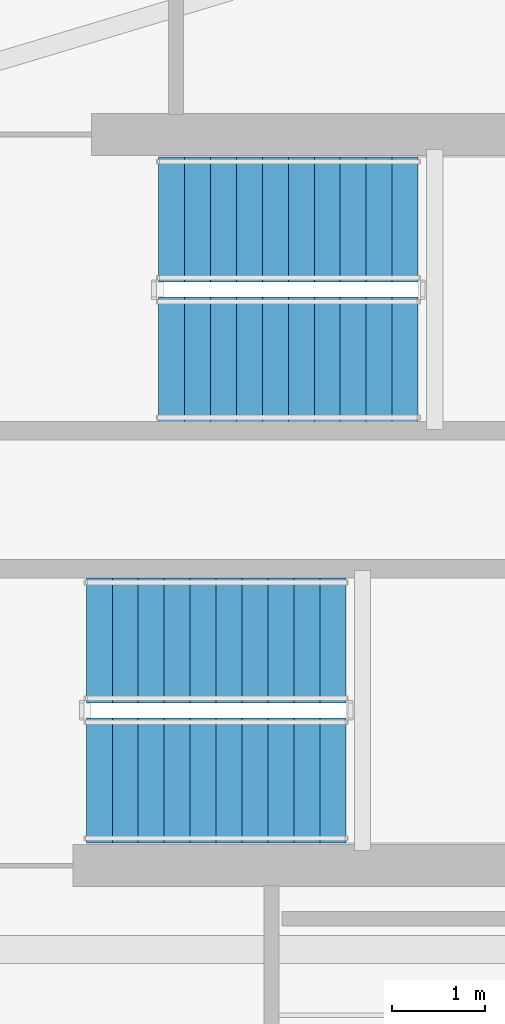
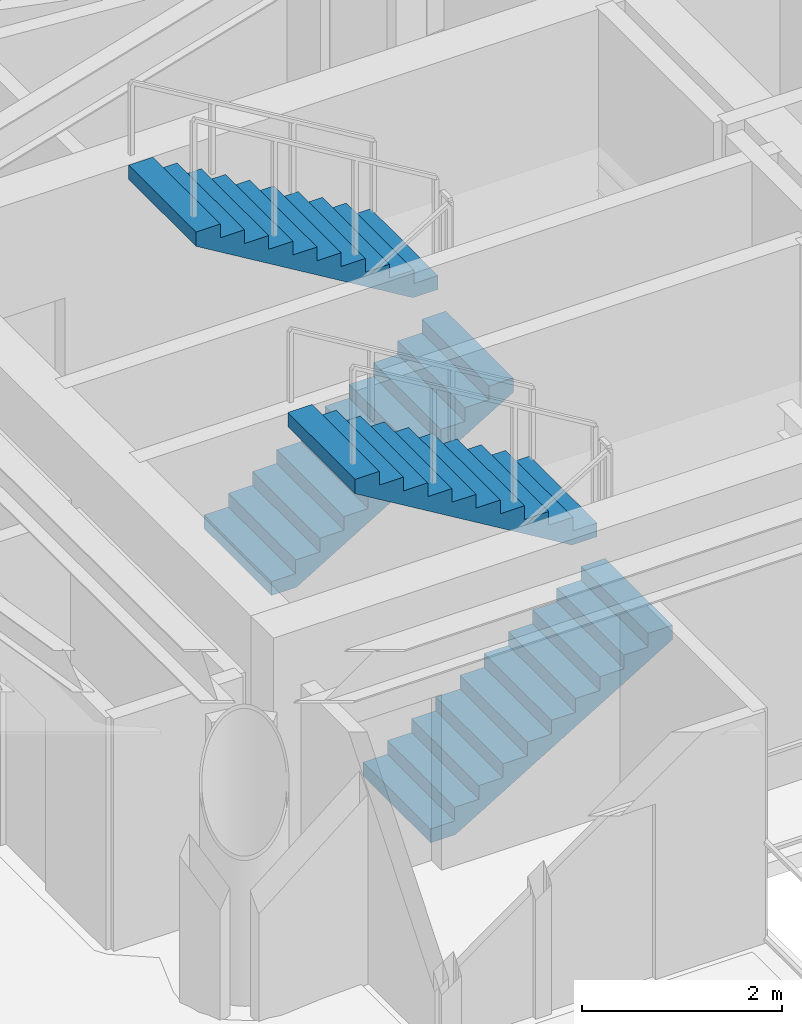
# One storey, part 17 of 19: 4 stair flights, 2 elements without a shape of their own.
"""IFC4 building model written with IfcOpenShell, lengths in metres."""

from ifc_helpers import new_model, si_unit, direction, frame, origin, place, context, subcontext, project, spatial, polyline, outline, extrude, material, type_object, element, aggregate, save


model = new_model("IFC4")

# Units and contexts
model_context = context("Model", 3, precision=1e-05, world=origin(), true_north=direction((0.0, 1.0)))
body_context = subcontext(model_context, "Body", "Model", "MODEL_VIEW")
ifc_project = project(units=[si_unit("LENGTHUNIT", "METRE"), si_unit("AREAUNIT", "SQUARE_METRE"), si_unit("VOLUMEUNIT", "CUBIC_METRE"), si_unit("PLANEANGLEUNIT", "RADIAN"), si_unit("MASSUNIT", "GRAM", prefix="KILO")], contexts=[model_context])

# Site, building, storey
site_placement = place(None, origin())
site = spatial("IfcSite", under=ifc_project, at=site_placement, CompositionType="ELEMENT")
building_placement = place(site_placement, origin())
building = spatial("IfcBuilding", under=site, at=building_placement, Name="Qianvela Tower", CompositionType="ELEMENT")
storey_placement = place(building_placement, frame((0.0, 0.0, 280.60009765625)))
storey = spatial("IfcBuildingStorey", under=building, at=storey_placement, Name="L72", CompositionType="ELEMENT", Elevation=280.60009765625)

# Stair, stair flights
ifc_material_1 = material(Name="Concrete C40", Category="concrete")
stair_type = type_object("IfcStairType", Name="ST-DOGLEG-1350-R168-N22", PredefinedType="HALF_TURN_STAIR", material=ifc_material_1)
stair_1_placement = place(storey_placement, origin())
stair_1 = element("IfcStair", 1, at=stair_1_placement, inside=storey, type_object=stair_type, Name="L72 Smoke-Proof Core Stair ST-1", PredefinedType="HALF_TURN_STAIR")
ifc_material_2 = material(Name="Concrete C40", Category="concrete")
stair_flight_type = type_object("IfcStairFlightType", Name="STF-STRAIGHT-R168-P11", PredefinedType="STRAIGHT", material=ifc_material_2)
stair_flight_1_placement = place(storey_placement, frame((32.199951171875, 30.215087890625, 0.0), z_axis=(0.0, 0.0, 1.0), x_axis=(1.0, 0.0, 0.0)))
stair_flight_1 = element("IfcStairFlight", 2, at=stair_flight_1_placement, type_object=stair_flight_type, Name="ST-1 flight 1", NumberOfRisers=11, NumberOfTreads=10, PredefinedType="STRAIGHT", RiserHeight=0.168181818, TreadLength=0.28, context=body_context, shape_type="SweptSolid", body=[
    extrude(outline(polyline([(0.0, 0.0), (0.0, 0.168212890625), (0.280029296875, 0.168212890625), (0.280029296875, 0.33642578125), (0.56005859375, 0.33642578125), (0.56005859375, 0.504638671875), (0.840087890625, 0.504638671875), (0.840087890625, 0.672607421875), (1.1201171875, 0.672607421875), (1.1201171875, 0.8408203125), (1.39990234375, 0.8408203125), (1.39990234375, 1.009033203125), (1.679931640625, 1.009033203125), (1.679931640625, 1.17724609375), (1.9599609375, 1.17724609375), (1.9599609375, 1.345458984375), (2.239990234375, 1.345458984375), (2.239990234375, 1.513671875), (2.52001953125, 1.513671875), (2.52001953125, 1.681884765625), (2.800048828125, 1.681884765625), (2.800048828125, 1.85009765625), (2.800048828125, 1.5068359375), (0.291015625, 0.0), (0.0, 0.0)])), frame((0.0, 0.675048828125, 0.0), z_axis=(0.0, -1.0, 0.0), x_axis=(1.0, 0.0, 0.0)), (0.0, 0.0, 1.0), 1.35009765625),
])
stair_flight_2_placement = place(storey_placement, frame((35.0, 31.72509765625, 1.849853515625), z_axis=(0.0, 0.0, 1.0), x_axis=(-1.0, 0.0, 0.0)))
stair_flight_2 = element("IfcStairFlight", 3, at=stair_flight_2_placement, type_object=stair_flight_type, Name="ST-1 flight 2", NumberOfRisers=11, NumberOfTreads=10, PredefinedType="STRAIGHT", RiserHeight=0.168181818, TreadLength=0.28, context=body_context, shape_type="SweptSolid", body=[
    extrude(outline(polyline([(0.0, 0.0), (0.0, 0.168212890625), (0.280029296875, 0.168212890625), (0.280029296875, 0.33642578125), (0.56005859375, 0.33642578125), (0.56005859375, 0.504638671875), (0.840087890625, 0.504638671875), (0.840087890625, 0.672607421875), (1.1201171875, 0.672607421875), (1.1201171875, 0.8408203125), (1.39990234375, 0.8408203125), (1.39990234375, 1.009033203125), (1.679931640625, 1.009033203125), (1.679931640625, 1.17724609375), (1.9599609375, 1.17724609375), (1.9599609375, 1.345458984375), (2.239990234375, 1.345458984375), (2.239990234375, 1.513671875), (2.52001953125, 1.513671875), (2.52001953125, 1.681884765625), (2.800048828125, 1.681884765625), (2.800048828125, 1.85009765625), (2.800048828125, 1.5068359375), (0.291015625, 0.0), (0.0, 0.0)])), frame((0.0, 0.675048828125, 0.0), z_axis=(0.0, -1.0, 0.0), x_axis=(1.0, 0.0, 0.0)), (0.0, 0.0, 1.0), 1.35009765625),
])
aggregate(stair_1, [stair_flight_1, stair_flight_2])

stair_2_placement = place(storey_placement, origin())
stair_2 = element("IfcStair", 4, at=stair_2_placement, inside=storey, type_object=stair_type, Name="L72 Smoke-Proof Core Stair ST-2", PredefinedType="HALF_TURN_STAIR")
stair_flight_3_placement = place(storey_placement, frame((31.419921875, 25.675048828125, 0.0), z_axis=(0.0, 0.0, 1.0), x_axis=(1.0, 0.0, 0.0)))
stair_flight_3 = element("IfcStairFlight", 5, at=stair_flight_3_placement, type_object=stair_flight_type, Name="ST-2 flight 1", NumberOfRisers=11, NumberOfTreads=10, PredefinedType="STRAIGHT", RiserHeight=0.168181818, TreadLength=0.28, context=body_context, shape_type="SweptSolid", body=[
    extrude(outline(polyline([(0.0, 0.0), (0.0, 0.168212890625), (0.280029296875, 0.168212890625), (0.280029296875, 0.33642578125), (0.56005859375, 0.33642578125), (0.56005859375, 0.504638671875), (0.840087890625, 0.504638671875), (0.840087890625, 0.672607421875), (1.1201171875, 0.672607421875), (1.1201171875, 0.8408203125), (1.39990234375, 0.8408203125), (1.39990234375, 1.009033203125), (1.679931640625, 1.009033203125), (1.679931640625, 1.17724609375), (1.9599609375, 1.17724609375), (1.9599609375, 1.345458984375), (2.239990234375, 1.345458984375), (2.239990234375, 1.513671875), (2.52001953125, 1.513671875), (2.52001953125, 1.681884765625), (2.800048828125, 1.681884765625), (2.800048828125, 1.85009765625), (2.800048828125, 1.5068359375), (0.291015625, 0.0), (0.0, 0.0)])), frame((0.0, 0.675048828125, 0.0), z_axis=(0.0, -1.0, 0.0), x_axis=(1.0, 0.0, 0.0)), (0.0, 0.0, 1.0), 1.35009765625),
])
stair_flight_4_placement = place(storey_placement, frame((34.219970703125, 27.18505859375, 1.849853515625), z_axis=(0.0, 0.0, 1.0), x_axis=(-1.0, 0.0, 0.0)))
stair_flight_4 = element("IfcStairFlight", 6, at=stair_flight_4_placement, type_object=stair_flight_type, Name="ST-2 flight 2", NumberOfRisers=11, NumberOfTreads=10, PredefinedType="STRAIGHT", RiserHeight=0.168181818, TreadLength=0.28, context=body_context, shape_type="SweptSolid", body=[
    extrude(outline(polyline([(0.0, 0.0), (0.0, 0.168212890625), (0.280029296875, 0.168212890625), (0.280029296875, 0.33642578125), (0.56005859375, 0.33642578125), (0.56005859375, 0.504638671875), (0.840087890625, 0.504638671875), (0.840087890625, 0.672607421875), (1.1201171875, 0.672607421875), (1.1201171875, 0.8408203125), (1.39990234375, 0.8408203125), (1.39990234375, 1.009033203125), (1.679931640625, 1.009033203125), (1.679931640625, 1.17724609375), (1.9599609375, 1.17724609375), (1.9599609375, 1.345458984375), (2.239990234375, 1.345458984375), (2.239990234375, 1.513671875), (2.52001953125, 1.513671875), (2.52001953125, 1.681884765625), (2.800048828125, 1.681884765625), (2.800048828125, 1.85009765625), (2.800048828125, 1.5068359375), (0.291015625, 0.0), (0.0, 0.0)])), frame((0.0, 0.675048828125, 0.0), z_axis=(0.0, -1.0, 0.0), x_axis=(1.0, 0.0, 0.0)), (0.0, 0.0, 1.0), 1.35009765625),
])
aggregate(stair_2, [stair_flight_3, stair_flight_4])

save(model, "model.ifc")
